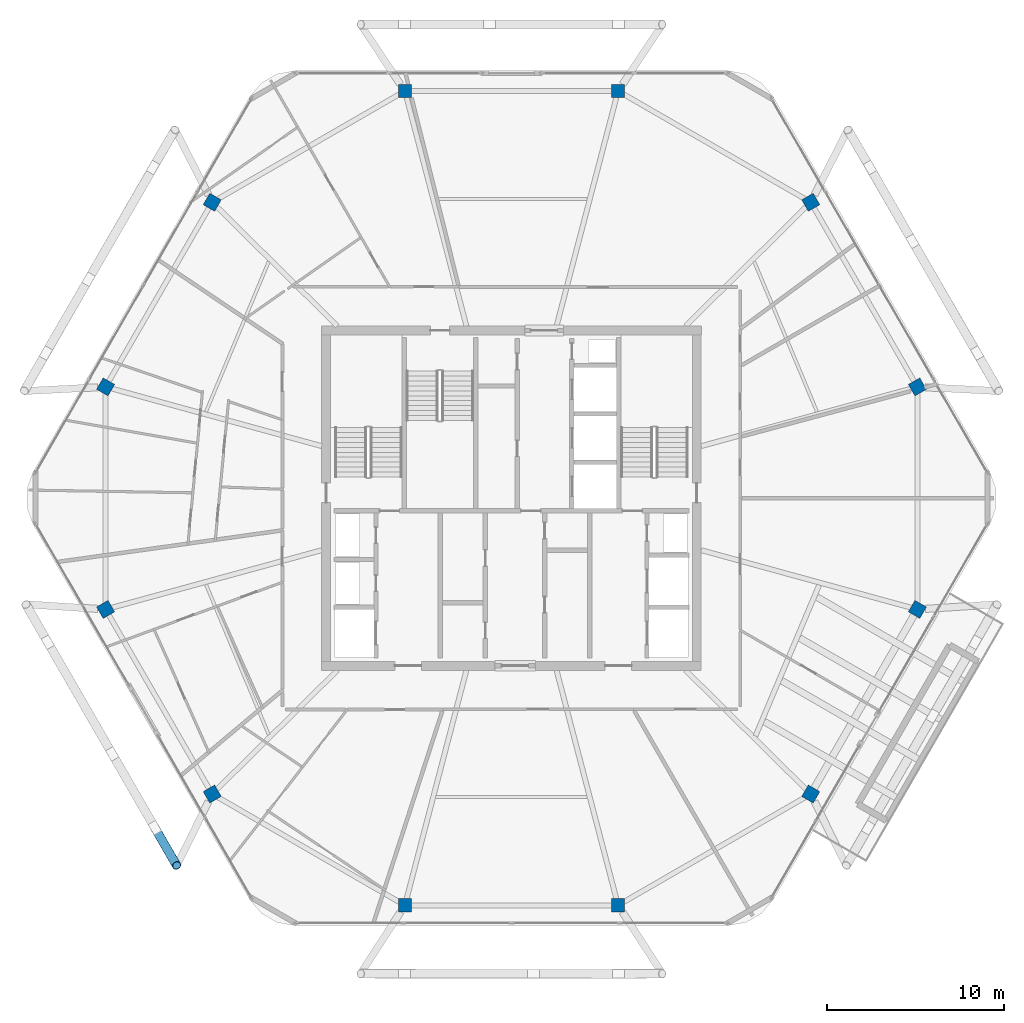
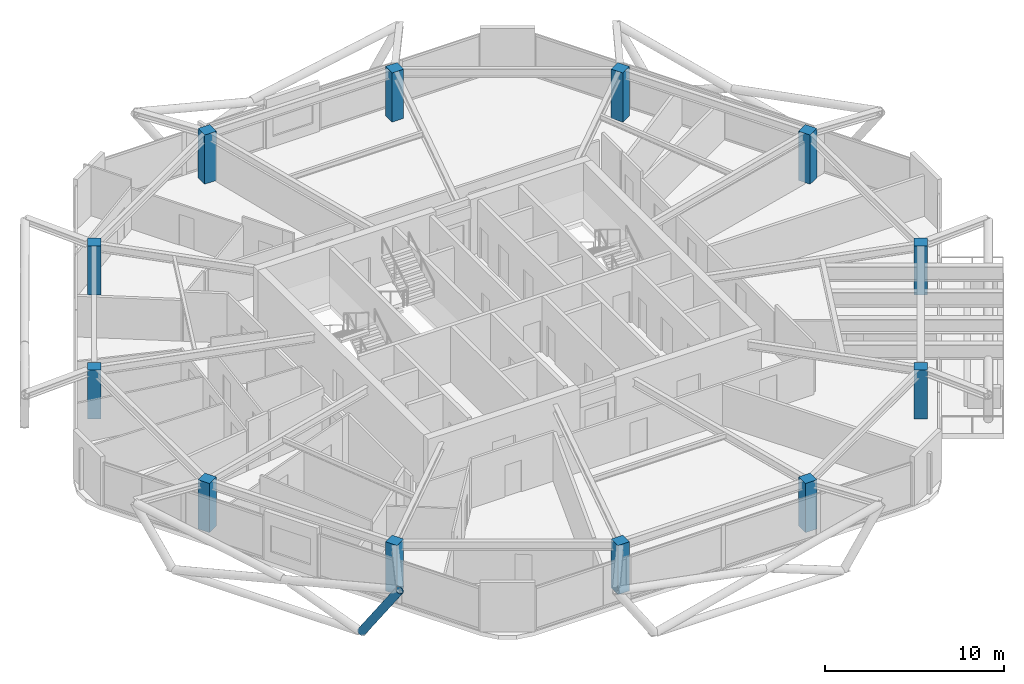
# One storey, part 1 of 23: 12 columns, 1 member.
"""IFC4 building model written with IfcOpenShell, lengths in metres."""

from ifc_helpers import new_model, si_unit, direction, frame, origin, origin_2d, place, context, subcontext, project, spatial, rectangle, hollow_circle, extrude, material, material_profile, profile_set, type_object, element, save


model = new_model("IFC4")

# Units and contexts
model_context = context("Model", 3, precision=1e-05, world=origin(), true_north=direction((0.0, 1.0)))
body_context = subcontext(model_context, "Body", "Model", "MODEL_VIEW")
ifc_project = project(units=[si_unit("LENGTHUNIT", "METRE"), si_unit("AREAUNIT", "SQUARE_METRE"), si_unit("VOLUMEUNIT", "CUBIC_METRE"), si_unit("PLANEANGLEUNIT", "RADIAN"), si_unit("MASSUNIT", "GRAM", prefix="KILO")], contexts=[model_context])

# Site, building, storey
site_placement = place(None, origin())
site = spatial("IfcSite", under=ifc_project, at=site_placement, CompositionType="ELEMENT")
building_placement = place(site_placement, origin())
building = spatial("IfcBuilding", under=site, at=building_placement, Name="Zuhravey Tower", CompositionType="ELEMENT")
storey_placement = place(building_placement, frame((0.0, 0.0, 353.800048828125)))
storey = spatial("IfcBuildingStorey", under=building, at=storey_placement, Name="L90", CompositionType="ELEMENT", Elevation=353.800048828125)

# Columns
ifc_material_1 = material(Name="Concrete C50/60", Category="concrete")
ifc_material_profile_1 = material_profile(ifc_material_1, rectangle(XDim=0.75, YDim=0.75, at=origin_2d()), Name="RC-750x750")
ifc_profile_set_1 = profile_set([ifc_material_profile_1], Name="Concrete C50/60")
column_type = type_object("IfcColumnType", Name="Zone 4 Upper Column 750x750", PredefinedType="COLUMN", material=ifc_profile_set_1)
for number, where, z_axis, x_axis, name in (
    (1, (58.993408203125, 38.302490234375, 0.0), (0.0, 0.0, 1.0), (-0.5, 0.866025403784, 0.0), "L90 Perimeter Column PC01"),
    (2, (52.95458984375, 48.76171875, 0.0), (0.0, 0.0, 1.0), (-0.5, 0.866025403784, 0.0), "L90 Perimeter Column PC02"),
    (3, (42.038818359375, 55.064208984375, 0.0), (0.0, 0.0, 1.0), (-1.0, 0.0, 0.0), "L90 Perimeter Column PC03"),
    (4, (29.961181640625, 55.064208984375, 0.0), (0.0, 0.0, 1.0), (-1.0, 0.0, 0.0), "L90 Perimeter Column PC04"),
    (5, (19.04541015625, 48.76171875, 0.0), (0.0, 0.0, 1.0), (-0.5, -0.866025403784, 0.0), "L90 Perimeter Column PC05"),
    (6, (13.006591796875, 38.302490234375, 0.0), (0.0, 0.0, 1.0), (-0.5, -0.866025403784, 0.0), "L90 Perimeter Column PC06"),
    (7, (13.006591796875, 25.697509765625, 0.0), (0.0, 0.0, 1.0), (0.5, -0.866025403784, 0.0), "L90 Perimeter Column PC07"),
    (8, (19.04541015625, 15.23828125, 0.0), (0.0, 0.0, 1.0), (0.5, -0.866025403784, 0.0), "L90 Perimeter Column PC08"),
    (9, (29.961181640625, 8.935791015625, 0.0), (0.0, 0.0, 1.0), (1.0, 0.0, 0.0), "L90 Perimeter Column PC09"),
    (10, (42.038818359375, 8.935791015625, 0.0), (0.0, 0.0, 1.0), (1.0, 0.0, 0.0), "L90 Perimeter Column PC10"),
    (11, (52.95458984375, 15.23828125, 0.0), (0.0, 0.0, 1.0), (0.5, 0.866025403784, 0.0), "L90 Perimeter Column PC11"),
    (12, (58.993408203125, 25.697509765625, 0.0), (0.0, 0.0, 1.0), (0.5, 0.866025403784, 0.0), "L90 Perimeter Column PC12"),
):
    element("IfcColumn", number, at=place(storey_placement, frame(where, z_axis=z_axis, x_axis=x_axis)), inside=storey, type_object=column_type, Name=name, PredefinedType="COLUMN", context=body_context, shape_type="SweptSolid", body=[
        extrude(rectangle(XDim=0.75, YDim=0.75, at=origin_2d()), origin(), (0.0, 0.0, 1.0), 3.349853515625),
    ])

# Member
ifc_material_2 = material(Name="Steel SM355", Category="steel")
ifc_material_profile_2 = material_profile(ifc_material_2, hollow_circle(Radius=0.25390625, WallThickness=0.02490234375, at=origin_2d()), Name="CHS-508.0x25")
ifc_profile_set_2 = profile_set([ifc_material_profile_2], Name="Steel SM355")
member_type = type_object("IfcMemberType", Name="Exoskeleton Zone 4 Diagrid CHS508x25", PredefinedType="BRACE", material=ifc_profile_set_2)
member_placement = place(storey_placement, frame((15.800048828125, 13.319091796875, -0.5830078125), z_axis=(0.276758139819, -0.479329722715, 0.832855298936), x_axis=(0.866012107475, 0.500023029176, 0.0)))
element("IfcMember", 13, at=member_placement, inside=storey, type_object=member_type, Name="L90 Face 4 Diagrid Brace 4", PredefinedType="BRACE", context=body_context, shape_type="SweptSolid", body=[
    extrude(hollow_circle(Radius=0.25390625, WallThickness=0.02490234375, at=origin_2d()), origin(), (0.0, 0.0, 1.0), 4.446044921875),
])

save(model, "model.ifc")
